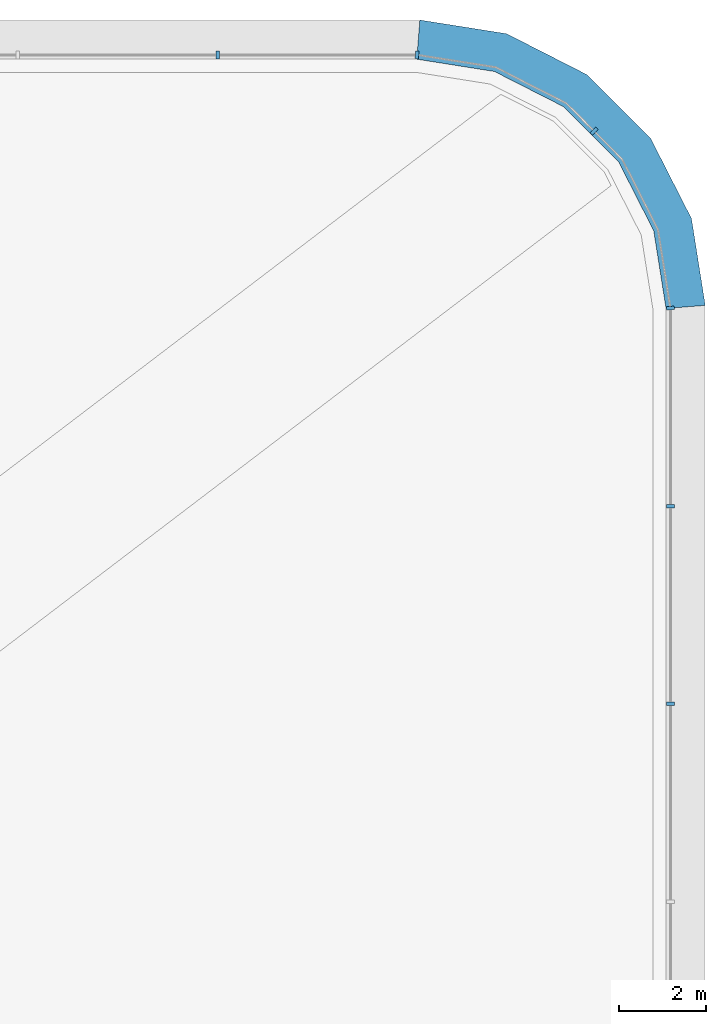
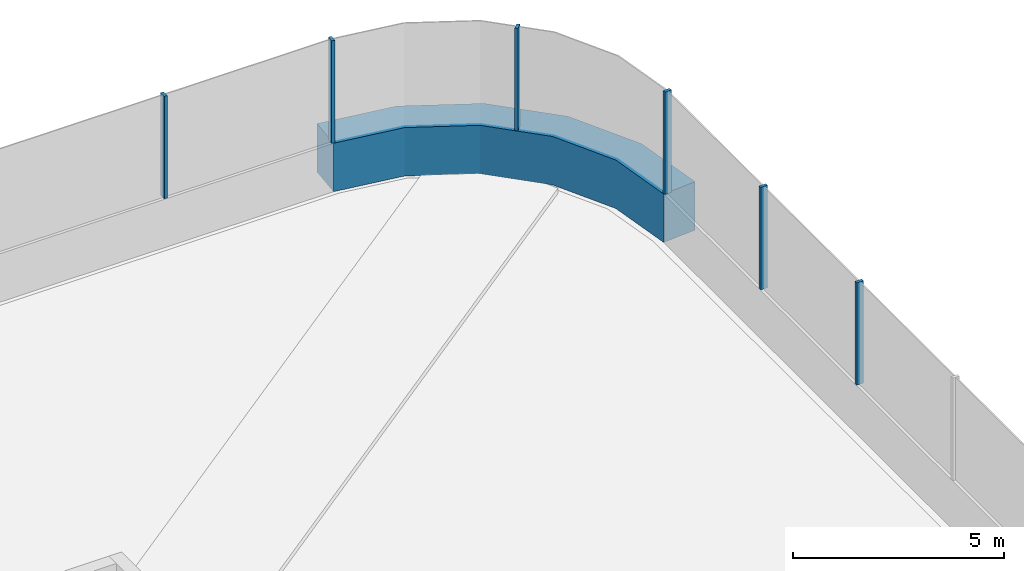
# One storey, part 19 of 37: 7 members, 3 elements without a shape of their own.
"""IFC4 building model written with IfcOpenShell, lengths in metres."""

from ifc_helpers import new_model, si_unit, direction, frame, origin, origin_2d, place, context, subcontext, project, spatial, polyline, rectangle, outline, extrude, material, layer, layer_set, material_profile, profile_set, type_object, element, aggregate, save


model = new_model("IFC4")

# Units and contexts
model_context = context("Model", 3, precision=1e-05, world=origin(), true_north=direction((0.0, 1.0)))
body_context = subcontext(model_context, "Body", "Model", "MODEL_VIEW")
ifc_project = project(units=[si_unit("LENGTHUNIT", "METRE"), si_unit("AREAUNIT", "SQUARE_METRE"), si_unit("VOLUMEUNIT", "CUBIC_METRE"), si_unit("PLANEANGLEUNIT", "RADIAN"), si_unit("MASSUNIT", "GRAM", prefix="KILO")], contexts=[model_context])

# Site, building, storey
site_placement = place(None, origin())
site = spatial("IfcSite", under=ifc_project, at=site_placement, CompositionType="ELEMENT")
building_placement = place(site_placement, origin())
building = spatial("IfcBuilding", under=site, at=building_placement, Name="Tamarind Cross Interchange Tower", CompositionType="ELEMENT")
storey_placement = place(building_placement, frame((0.0, 0.0, 29.5)))
storey = spatial("IfcBuildingStorey", under=building, at=storey_placement, Name="L05", CompositionType="ELEMENT", Elevation=29.5)

# Curtain wall, member
ifc_material_1 = material(Name="Aluminium 6063-T6", Category="aluminium")
ifc_layer = layer(ifc_material_1, 0.179931640625)
ifc_layer_set = layer_set([ifc_layer], Name="Aluminium 6063-T6")
curtain_wall_type = type_object("IfcCurtainWallType", Name="Sky lobby curtain wall, fire-resisting glazing", PredefinedType="NOTDEFINED", material=ifc_layer_set)
curtain_wall_1_placement = place(storey_placement, origin())
curtain_wall_1 = element("IfcCurtainWall", 1, at=curtain_wall_1_placement, inside=storey, type_object=curtain_wall_type, Name="CWS-L05-01", PredefinedType="NOTDEFINED")
ifc_material_2 = material(Name="Aluminium and insulated spandrel panel", Category="aluminium")
member_type_1 = type_object("IfcMemberType", Name="Floor-edge blade transom", PredefinedType="USERDEFINED", material=ifc_material_2)
member_1_placement = place(storey_placement, origin())
member_1 = element("IfcMember", 2, at=member_1_placement, type_object=member_type_1, Name="CWT-L05-01", ObjectType="TRANSOM", PredefinedType="USERDEFINED", context=body_context, shape_type="SweptSolid", body=[
    extrude(outline(polyline([(60.699951171875, 49.976318359375), (60.41748046875, 51.76025390625), (59.6083984375, 53.34814453125), (58.34814453125, 54.6083984375), (56.76025390625, 55.41748046875), (54.976318359375, 55.699951171875), (55.047119140625, 56.60009765625), (57.041748046875, 56.2841796875), (58.8837890625, 55.345458984375), (60.345458984375, 53.8837890625), (61.2841796875, 52.041748046875), (61.60009765625, 50.047119140625), (60.699951171875, 49.976318359375)])), origin(), (0.0, 0.0, 1.0), 1.39990234375),
])

# Curtain wall, members
curtain_wall_2_placement = place(storey_placement, origin())
curtain_wall_2 = element("IfcCurtainWall", 3, at=curtain_wall_2_placement, inside=storey, type_object=curtain_wall_type, Name="CWS-L05-00", PredefinedType="NOTDEFINED")
ifc_material_profile = material_profile(ifc_material_1, rectangle(XDim=0.080078125, YDim=0.179931640625, at=origin_2d()), Name="Mullion CW4")
ifc_profile_set = profile_set([ifc_material_profile], Name="Aluminium 6063-T6")
member_type_2 = type_object("IfcMemberType", Name="Mullion CW4", PredefinedType="MULLION", material=ifc_profile_set)
member_2_placement = place(storey_placement, frame((60.800048828125, 40.896240234375, 1.39990234375), z_axis=(0.0, 0.0, 1.0), x_axis=(0.0, 1.0, 0.0)))
member_2 = element("IfcMember", 4, at=member_2_placement, type_object=member_type_2, Name="CWM-L05-00-20", PredefinedType="MULLION", context=body_context, shape_type="SweptSolid", body=[
    extrude(rectangle(XDim=0.080078125, YDim=0.179931640625, at=origin_2d()), origin(), (0.0, 0.0, 1.0), 2.960205078125),
])
member_3_placement = place(storey_placement, frame((60.800048828125, 45.440185546875, 1.39990234375), z_axis=(0.0, 0.0, 1.0), x_axis=(0.0, 1.0, 0.0)))
member_3 = element("IfcMember", 5, at=member_3_placement, type_object=member_type_2, Name="CWM-L05-00-21", PredefinedType="MULLION", context=body_context, shape_type="SweptSolid", body=[
    extrude(rectangle(XDim=0.080078125, YDim=0.179931640625, at=origin_2d()), origin(), (0.0, 0.0, 1.0), 2.960205078125),
])
aggregate(curtain_wall_2, [member_2, member_3])

# Member
member_4_placement = place(storey_placement, frame((60.800048828125, 49.984375, 1.39990234375), z_axis=(0.0, 0.0, 1.0), x_axis=(-0.078459095728, 0.996917333733, 0.0)))
member_4 = element("IfcMember", 6, at=member_4_placement, type_object=member_type_2, Name="CWM-L05-01-00", PredefinedType="MULLION", context=body_context, shape_type="SweptSolid", body=[
    extrude(rectangle(XDim=0.080078125, YDim=0.179931640625, at=origin_2d()), origin(), (0.0, 0.0, 1.0), 2.960205078125),
])

member_5_placement = place(storey_placement, frame((59.049072265625, 54.049072265625, 1.39990234375), z_axis=(0.0, 0.0, 1.0), x_axis=(-0.707106781187, 0.707106781187, 0.0)))
member_5 = element("IfcMember", 7, at=member_5_placement, type_object=member_type_2, Name="CWM-L05-01-01", PredefinedType="MULLION", context=body_context, shape_type="SweptSolid", body=[
    extrude(rectangle(XDim=0.080078125, YDim=0.179931640625, at=origin_2d()), origin(), (0.0, 0.0, 1.0), 2.960205078125),
])

aggregate(curtain_wall_1, [member_4, member_5, member_1])

# Curtain wall, members
curtain_wall_3_placement = place(storey_placement, origin())
curtain_wall_3 = element("IfcCurtainWall", 8, at=curtain_wall_3_placement, inside=storey, type_object=curtain_wall_type, Name="CWS-L05-02", PredefinedType="NOTDEFINED")
member_6_placement = place(storey_placement, frame((54.984375, 55.800048828125, 1.39990234375), z_axis=(0.0, 0.0, 1.0), x_axis=(-0.996917333733, 0.078459095728, 0.0)))
member_6 = element("IfcMember", 9, at=member_6_placement, type_object=member_type_2, Name="CWM-L05-02-00", PredefinedType="MULLION", context=body_context, shape_type="SweptSolid", body=[
    extrude(rectangle(XDim=0.080078125, YDim=0.179931640625, at=origin_2d()), origin(), (0.0, 0.0, 1.0), 2.960205078125),
])
member_7_placement = place(storey_placement, frame((50.40234375, 55.800048828125, 1.39990234375), z_axis=(0.0, 0.0, 1.0), x_axis=(-1.0, 0.0, 0.0)))
member_7 = element("IfcMember", 10, at=member_7_placement, type_object=member_type_2, Name="CWM-L05-02-01", PredefinedType="MULLION", context=body_context, shape_type="SweptSolid", body=[
    extrude(rectangle(XDim=0.080078125, YDim=0.179931640625, at=origin_2d()), origin(), (0.0, 0.0, 1.0), 2.960205078125),
])
aggregate(curtain_wall_3, [member_6, member_7])

save(model, "model.ifc")
